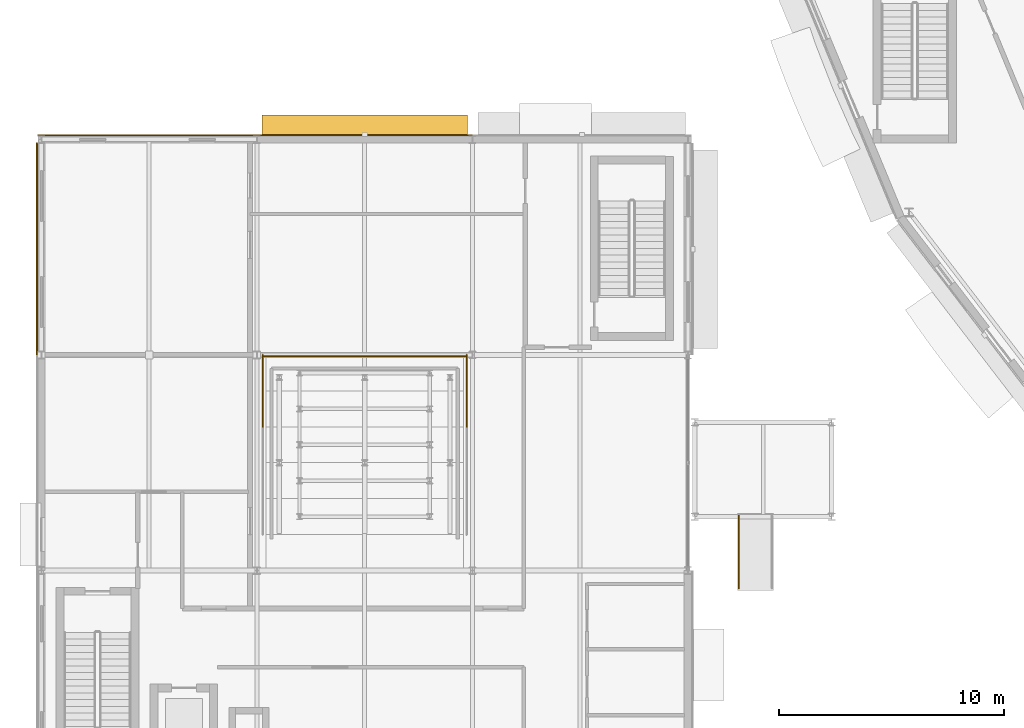
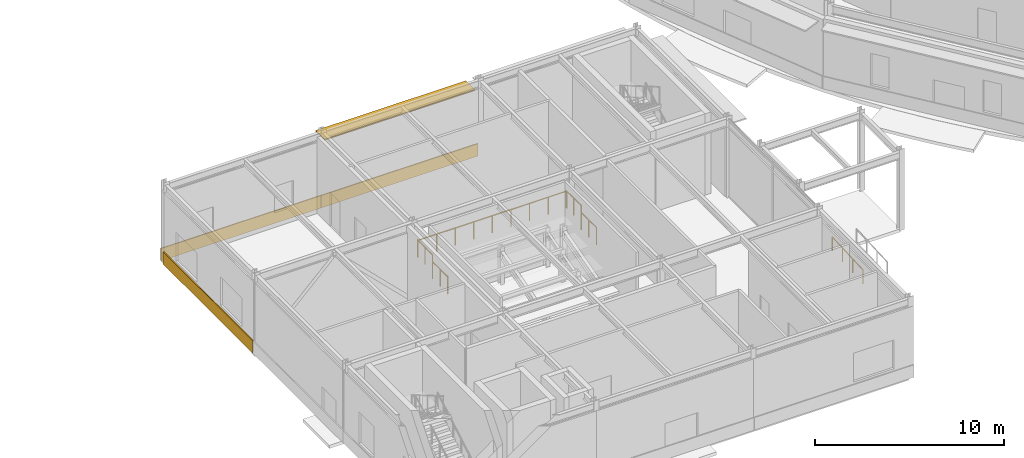
# One storey, part 142 of 168: 6 railings, 3 coverings, 1 shading device.
"""IFC4 building model written with IfcOpenShell, lengths in metres."""

from ifc_helpers import new_model, si_unit, direction, frame, origin, origin_2d, place, context, subcontext, project, spatial, rectangle, circle, extrude, material, layer, layer_set, type_object, element, save


model = new_model("IFC4")

# Units and contexts
model_context = context("Model", 3, precision=1e-05, world=origin(), true_north=direction((0.0, 1.0)))
body_context = subcontext(model_context, "Body", "Model", "MODEL_VIEW")
ifc_project = project(units=[si_unit("LENGTHUNIT", "METRE"), si_unit("AREAUNIT", "SQUARE_METRE"), si_unit("VOLUMEUNIT", "CUBIC_METRE"), si_unit("PLANEANGLEUNIT", "RADIAN"), si_unit("MASSUNIT", "GRAM", prefix="KILO")], contexts=[model_context])

# Site, building, storey
site_placement = place(None, origin())
site = spatial("IfcSite", under=ifc_project, at=site_placement, CompositionType="ELEMENT")
building_placement = place(site_placement, origin())
building = spatial("IfcBuilding", under=site, at=building_placement, Name="Almandine Court Research Institute", CompositionType="ELEMENT")
storey_placement = place(building_placement, origin())
storey = spatial("IfcBuildingStorey", under=building, at=storey_placement, Name="L00", CompositionType="ELEMENT", Elevation=0.0)

# Coverings
ifc_material_1 = material(Name="Honed Andean Red-Buff Sandstone Cladding", Category="masonry")
ifc_layer_1 = layer(ifc_material_1, 0.06494140625)
ifc_layer_set_1 = layer_set([ifc_layer_1], Name="Honed Andean Red-Buff Sandstone Cladding")
covering_type = type_object("IfcCoveringType", Name="Cov-CLAD-SAND", PredefinedType="CLADDING", material=ifc_layer_set_1)
covering_1_placement = place(storey_placement, frame((5.81396484375, 29.922119140625, 0.02001953125), z_axis=(0.0, 0.0, 1.0), x_axis=(0.0, 1.0, 0.0)))
element("IfcCovering", 1, at=covering_1_placement, inside=storey, type_object=covering_type, Name="L00 Facade Spandrel Cladding Band 3", PredefinedType="CLADDING", context=body_context, shape_type="SweptSolid", body=[
    extrude(rectangle(XDim=9.43701171875, YDim=0.06494140625, at=origin_2d()), origin(), (0.0, 0.0, 1.0), 0.800048828125),
])
covering_2_placement = place(storey_placement, frame((10.719970703125, 34.985107421875, 0.02001953125), z_axis=(0.0, 0.0, 1.0), x_axis=(1.0, 0.0, 0.0)))
element("IfcCovering", 2, at=covering_2_placement, inside=storey, type_object=covering_type, Name="L00 Facade Spandrel Cladding Band 4", PredefinedType="CLADDING", context=body_context, shape_type="SweptSolid", body=[
    extrude(rectangle(XDim=9.7509765625, YDim=0.06494140625, at=origin_2d()), origin(), (0.0, 0.0, 1.0), 0.800048828125),
])
covering_3_placement = place(storey_placement, frame((20.39990234375, 34.985107421875, 0.02001953125), z_axis=(0.0, 0.0, 1.0), x_axis=(1.0, 0.0, 0.0)))
element("IfcCovering", 3, at=covering_3_placement, inside=storey, type_object=covering_type, Name="L00 Facade Spandrel Cladding Band 5", PredefinedType="CLADDING", context=body_context, shape_type="SweptSolid", body=[
    extrude(rectangle(XDim=9.592041015625, YDim=0.06494140625, at=origin_2d()), origin(), (0.0, 0.0, 1.0), 0.800048828125),
])

# Railings
ifc_material_2 = material(Name="Powder-Coated Steel Stair and Atrium Balustrade", Category="steel")
railing_type_1 = type_object("IfcRailingType", Name="Rail-GUARD-INT", PredefinedType="BALUSTRADE", material=ifc_material_2)
for number, where, name in (
    (4, (15.860107421875, 22.0, 2.25), "L00 Lecture Tier 5 West Guard"),
    (5, (24.93994140625, 22.0, 2.25), "L00 Lecture Tier 5 East Guard"),
):
    element("IfcRailing", number, at=place(storey_placement, frame(where)), inside=storey, type_object=railing_type_1, Name=name, PredefinedType="BALUSTRADE", context=body_context, shape_type="SweptSolid", body=[
        extrude(circle(Radius=0.02392578125, at=origin_2d()), frame((0.0, 0.0, 1.09619140625), z_axis=(0.0, 1.0, 0.0), x_axis=(-1.0, 0.0, 0.0)), (0.0, 0.0, 1.0), 1.60009765625),
        extrude(circle(Radius=0.02099609375, at=origin_2d()), origin(), (0.0, 0.0, 1.0), 1.072021484375),
        extrude(circle(Radius=0.02099609375, at=origin_2d()), frame((0.0, 0.800048828125, 0.0)), (0.0, 0.0, 1.0), 1.072021484375),
        extrude(circle(Radius=0.02099609375, at=origin_2d()), frame((0.0, 1.60009765625, 0.0)), (0.0, 0.0, 1.0), 1.072021484375),
    ])
for number, where, name in (
    (6, (15.860107421875, 23.60009765625, 2.699951171875), "L00 Lecture Tier 6 West Guard"),
    (7, (24.93994140625, 23.60009765625, 2.699951171875), "L00 Lecture Tier 6 East Guard"),
):
    element("IfcRailing", number, at=place(storey_placement, frame(where)), inside=storey, type_object=railing_type_1, Name=name, PredefinedType="BALUSTRADE", context=body_context, shape_type="SweptSolid", body=[
        extrude(circle(Radius=0.02392578125, at=origin_2d()), frame((0.0, 0.0, 1.09619140625), z_axis=(0.0, 1.0, 0.0), x_axis=(-1.0, 0.0, 0.0)), (0.0, 0.0, 1.0), 1.599853515625),
        extrude(circle(Radius=0.02099609375, at=origin_2d()), origin(), (0.0, 0.0, 1.0), 1.072021484375),
        extrude(circle(Radius=0.02099609375, at=origin_2d()), frame((0.0, 0.7998046875, 0.0)), (0.0, 0.0, 1.0), 1.072021484375),
        extrude(circle(Radius=0.02099609375, at=origin_2d()), frame((0.0, 1.599853515625, 0.0)), (0.0, 0.0, 1.0), 1.072021484375),
    ])
railing_1_placement = place(storey_placement, frame((15.860107421875, 25.139892578125, 2.699951171875)))
element("IfcRailing", 8, at=railing_1_placement, inside=storey, type_object=railing_type_1, Name="L00 Lecture Top Tier Rear Guard", PredefinedType="BALUSTRADE", context=body_context, shape_type="SweptSolid", body=[
    extrude(circle(Radius=0.02392578125, at=origin_2d()), frame((0.0, 0.0, 1.09619140625), z_axis=(1.0, 0.0, 0.0), x_axis=(0.0, 1.0, 0.0)), (0.0, 0.0, 1.0), 9.079833984375),
    extrude(circle(Radius=0.02099609375, at=origin_2d()), origin(), (0.0, 0.0, 1.0), 1.072021484375),
    extrude(circle(Radius=0.02099609375, at=origin_2d()), frame((1.135009765625, 0.0, 0.0)), (0.0, 0.0, 1.0), 1.072021484375),
    extrude(circle(Radius=0.02099609375, at=origin_2d()), frame((2.27001953125, 0.0, 0.0)), (0.0, 0.0, 1.0), 1.072021484375),
    extrude(circle(Radius=0.02099609375, at=origin_2d()), frame((3.405029296875, 0.0, 0.0)), (0.0, 0.0, 1.0), 1.072021484375),
    extrude(circle(Radius=0.02099609375, at=origin_2d()), frame((4.5400390625, 0.0, 0.0)), (0.0, 0.0, 1.0), 1.072021484375),
    extrude(circle(Radius=0.02099609375, at=origin_2d()), frame((5.6748046875, 0.0, 0.0)), (0.0, 0.0, 1.0), 1.072021484375),
    extrude(circle(Radius=0.02099609375, at=origin_2d()), frame((6.809814453125, 0.0, 0.0)), (0.0, 0.0, 1.0), 1.072021484375),
    extrude(circle(Radius=0.02099609375, at=origin_2d()), frame((7.94482421875, 0.0, 0.0)), (0.0, 0.0, 1.0), 1.072021484375),
    extrude(circle(Radius=0.02099609375, at=origin_2d()), frame((9.079833984375, 0.0, 0.0)), (0.0, 0.0, 1.0), 1.072021484375),
])
ifc_material_3 = material(Name="Brushed Stainless Steel Exterior Ramp Handrail", Category="steel")
railing_type_2 = type_object("IfcRailingType", Name="Rail-HAND-EXT", PredefinedType="HANDRAIL", material=ifc_material_3)
railing_2_placement = place(storey_placement, frame((37.06005859375, 14.800048828125, -0.14990234375)))
element("IfcRailing", 9, at=railing_2_placement, inside=storey, type_object=railing_type_2, Name="Southwest Dalan Courtyard Accessible Ramp Handrail L", PredefinedType="HANDRAIL", context=body_context, shape_type="SweptSolid", body=[
    extrude(circle(Radius=0.02392578125, at=origin_2d()), frame((0.0, 0.0, 0.8759765625), z_axis=(0.0, 0.998937991816, 0.046074814226), x_axis=(-1.0, 0.0, 0.0)), (0.0, 0.0, 1.0), 3.25341796875),
    extrude(circle(Radius=0.02099609375, at=origin_2d()), origin(), (0.0, 0.0, 1.0), 0.851806640625),
    extrude(circle(Radius=0.02099609375, at=origin_2d()), frame((0.0, 1.083251953125, 0.050048828125)), (0.0, 0.0, 1.0), 0.851806640625),
    extrude(circle(Radius=0.02099609375, at=origin_2d()), frame((0.0, 2.166748046875, 0.099853515625)), (0.0, 0.0, 1.0), 0.851806640625),
    extrude(circle(Radius=0.02099609375, at=origin_2d()), frame((0.0, 3.25, 0.14990234375)), (0.0, 0.0, 1.0), 0.851806640625),
])

# Shading device
ifc_material_4 = material(Name="Precast GFRC Chhajja Sunshade and Acoustic Louvre", Category="concrete")
ifc_layer_2 = layer(ifc_material_4, 0.080078125)
ifc_layer_set_2 = layer_set([ifc_layer_2], Name="Precast GFRC Chhajja Sunshade and Acoustic Louvre")
shading_device_type = type_object("IfcShadingDeviceType", Name="Shd-SD-01", PredefinedType="AWNING", material=ifc_layer_set_2)
shading_device_placement = place(storey_placement, frame((20.39990234375, 35.419921875, 4.303955078125), z_axis=(0.0, 0.0, 1.0), x_axis=(1.0, 0.0, 0.0)))
element("IfcShadingDevice", 10, at=shading_device_placement, inside=storey, type_object=shading_device_type, Name="L00 Projecting Chhajja Sunshade 1", PredefinedType="AWNING", context=body_context, shape_type="SweptSolid", body=[
    extrude(rectangle(XDim=9.162109375, YDim=0.949951171875, at=origin_2d()), origin(), (0.0, 0.0, 1.0), 0.080078125),
])

save(model, "model.ifc")
